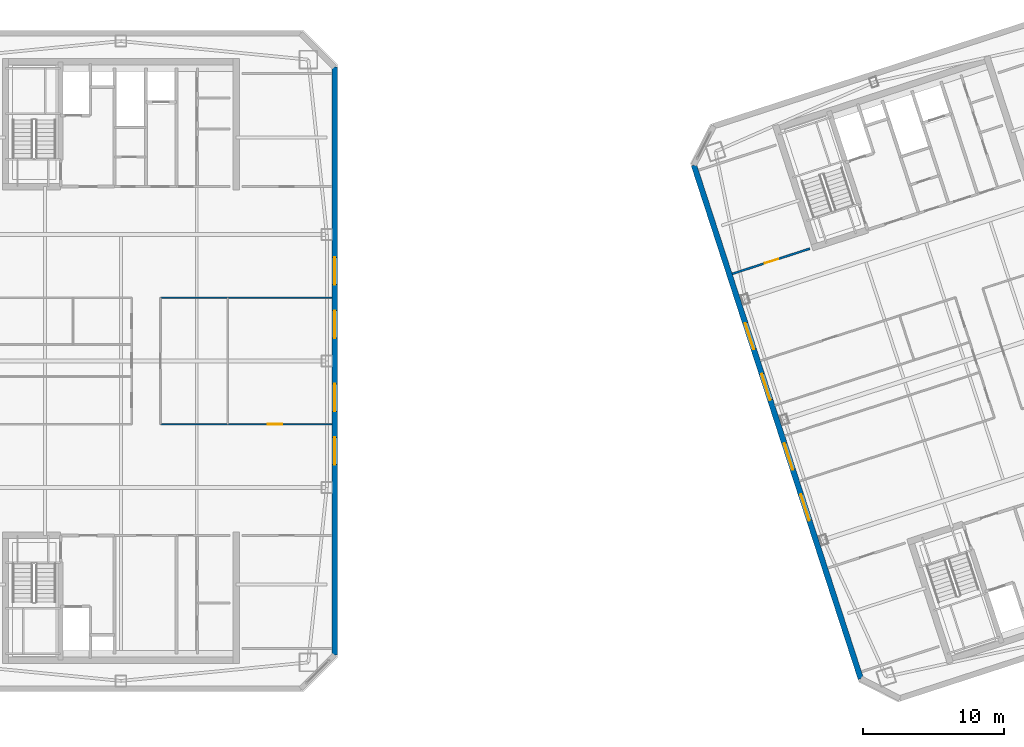
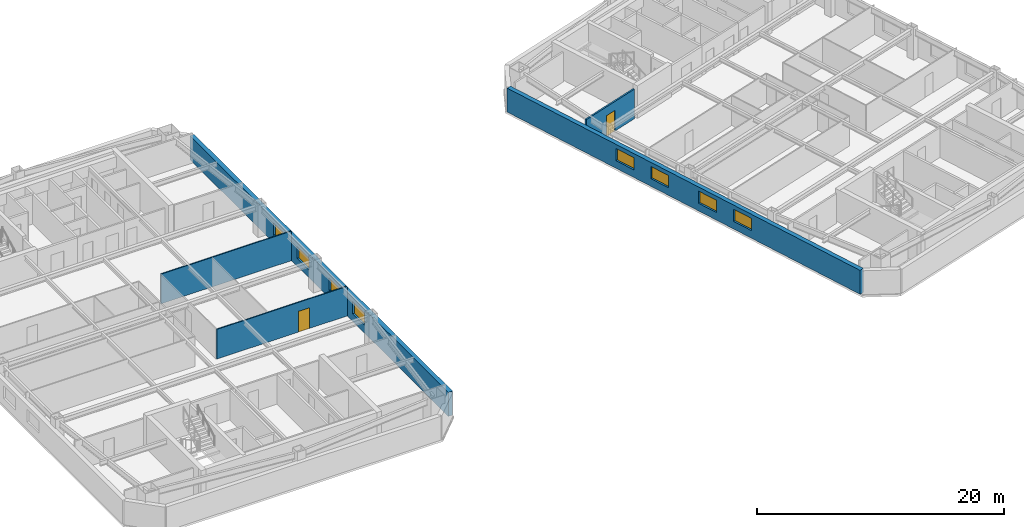
# One storey, part 13 of 20: 8 windows, 5 walls, 2 doors, 10 openings.
"""IFC4 building model written with IfcOpenShell, lengths in metres."""

from ifc_helpers import new_model, si_unit, direction, frame, frame_2d, origin, place, context, subcontext, project, spatial, rectangle, extrude, material, layer, layer_set, type_object, element, fill, save


model = new_model("IFC4")

# Units and contexts
model_context = context("Model", 3, precision=1e-05, world=origin(), true_north=direction((0.0, 1.0)))
body_context = subcontext(model_context, "Body", "Model", "MODEL_VIEW")
ifc_project = project(units=[si_unit("LENGTHUNIT", "METRE"), si_unit("AREAUNIT", "SQUARE_METRE"), si_unit("VOLUMEUNIT", "CUBIC_METRE"), si_unit("PLANEANGLEUNIT", "RADIAN"), si_unit("MASSUNIT", "GRAM", prefix="KILO")], contexts=[model_context])

# Site, building, storey
site_placement = place(None, origin())
site = spatial("IfcSite", under=ifc_project, at=site_placement, CompositionType="ELEMENT")
building_placement = place(site_placement, origin())
building = spatial("IfcBuilding", under=site, at=building_placement, Name="Qiaolan Cultural Towers", CompositionType="ELEMENT")
storey_placement = place(building_placement, frame((0.0, 0.0, 244.0)))
storey = spatial("IfcBuildingStorey", under=building, at=storey_placement, Name="L66", CompositionType="ELEMENT", Elevation=244.0)

# Wall, openings, windows
ifc_material_1 = material(Name="Precast Concrete C50 Honed Stone Pier", Category="masonry")
ifc_layer_1 = layer(ifc_material_1, 0.39990234375)
ifc_layer_set_1 = layer_set([ifc_layer_1], Name="Precast Concrete C50 Honed Stone Pier")
wall_type_1 = type_object("IfcWallType", Name="WL-EXT-PIER-400", PredefinedType="SOLIDWALL", material=ifc_layer_set_1)
wall_1_placement = place(storey_placement, frame((45.199951171875, 54.89990234375, 0.0), z_axis=(0.0, 0.0, 1.0), x_axis=(0.0, -1.0, 0.0)))
wall_1 = element("IfcWall", 1, at=wall_1_placement, inside=storey, type_object=wall_type_1, Name="L66 West Tower Precast Pier Facade Wall F5", PredefinedType="SOLIDWALL", context=body_context, shape_type="SweptSolid", body=[
    extrude(rectangle(XDim=41.7998046875, YDim=0.39990234375, at=frame_2d((20.89990234375, 0.0))), origin(), (0.0, 0.0, 1.0), 2.360107421875),
])
opening_1_placement = place(wall_1_placement, frame((26.324951171875, 0.0, 0.75)))
opening_1 = element("IfcOpeningElement", 2, at=opening_1_placement, cuts=wall_1, Name="Opening W-06", PredefinedType="OPENING", context=body_context, shape_type="SweptSolid", body=[
    extrude(rectangle(XDim=1.949951171875, YDim=1.2099609375, at=frame_2d((0.97509765625, 0.60498046875))), frame((0.0, 0.2099609375, 0.0), z_axis=(0.0, -1.0, 0.0), x_axis=(1.0, 0.0, 0.0)), (0.0, 0.0, 1.0), 0.419921875),
])
opening_2_placement = place(wall_1_placement, frame((22.52490234375, 0.0, 0.75)))
opening_2 = element("IfcOpeningElement", 3, at=opening_2_placement, cuts=wall_1, Name="Opening W-06", PredefinedType="OPENING", context=body_context, shape_type="SweptSolid", body=[
    extrude(rectangle(XDim=1.949951171875, YDim=1.2099609375, at=frame_2d((0.97509765625, 0.60498046875))), frame((0.0, 0.2099609375, 0.0), z_axis=(0.0, -1.0, 0.0), x_axis=(1.0, 0.0, 0.0)), (0.0, 0.0, 1.0), 0.419921875),
])
opening_3_placement = place(wall_1_placement, frame((17.324951171875, 0.0, 0.75)))
opening_3 = element("IfcOpeningElement", 4, at=opening_3_placement, cuts=wall_1, Name="Opening W-06", PredefinedType="OPENING", context=body_context, shape_type="SweptSolid", body=[
    extrude(rectangle(XDim=1.949951171875, YDim=1.2099609375, at=frame_2d((0.97509765625, 0.60498046875))), frame((0.0, 0.2099609375, 0.0), z_axis=(0.0, -1.0, 0.0), x_axis=(1.0, 0.0, 0.0)), (0.0, 0.0, 1.0), 0.419921875),
])
opening_4_placement = place(wall_1_placement, frame((13.52490234375, 0.0, 0.75)))
opening_4 = element("IfcOpeningElement", 5, at=opening_4_placement, cuts=wall_1, Name="Opening W-06", PredefinedType="OPENING", context=body_context, shape_type="SweptSolid", body=[
    extrude(rectangle(XDim=1.949951171875, YDim=1.2099609375, at=frame_2d((0.97509765625, 0.60498046875))), frame((0.0, 0.2099609375, 0.0), z_axis=(0.0, -1.0, 0.0), x_axis=(1.0, 0.0, 0.0)), (0.0, 0.0, 1.0), 0.419921875),
])
ifc_material_2 = material(Name="Thermally Broken Aluminium Triple Low-E Glazing", Category="aluminium")
window_type = type_object("IfcWindowType", Name="WN-CHIC-1950", PartitioningType="SINGLE_PANEL", PredefinedType="WINDOW", material=ifc_material_2)
window_1_placement = place(opening_1_placement, origin())
window_1 = element("IfcWindow", 6, at=window_1_placement, inside=storey, type_object=window_type, Name="L66 T1 E Chicago Bay Window 1", OverallHeight=1.2099609375, OverallWidth=1.949951171875, PartitioningType="TRIPLE_PANEL_VERTICAL", PredefinedType="WINDOW", context=body_context, shape_type="SweptSolid", body=[
    extrude(rectangle(XDim=1.949951171875, YDim=1.2099609375, at=frame_2d((0.97509765625, 0.60498046875))), frame((0.0, 0.030029296875, 0.0), z_axis=(0.0, -1.0, 0.0), x_axis=(1.0, 0.0, 0.0)), (0.0, 0.0, 1.0), 0.06005859375),
])
fill(opening_1, window_1)
window_2_placement = place(opening_2_placement, origin())
window_2 = element("IfcWindow", 7, at=window_2_placement, inside=storey, type_object=window_type, Name="L66 T1 E Chicago Bay Window 2", OverallHeight=1.2099609375, OverallWidth=1.949951171875, PartitioningType="TRIPLE_PANEL_VERTICAL", PredefinedType="WINDOW", context=body_context, shape_type="SweptSolid", body=[
    extrude(rectangle(XDim=1.949951171875, YDim=1.2099609375, at=frame_2d((0.97509765625, 0.60498046875))), frame((0.0, 0.030029296875, 0.0), z_axis=(0.0, -1.0, 0.0), x_axis=(1.0, 0.0, 0.0)), (0.0, 0.0, 1.0), 0.06005859375),
])
fill(opening_2, window_2)
window_3_placement = place(opening_3_placement, origin())
window_3 = element("IfcWindow", 8, at=window_3_placement, inside=storey, type_object=window_type, Name="L66 T1 E Chicago Bay Window 3", OverallHeight=1.2099609375, OverallWidth=1.949951171875, PartitioningType="TRIPLE_PANEL_VERTICAL", PredefinedType="WINDOW", context=body_context, shape_type="SweptSolid", body=[
    extrude(rectangle(XDim=1.949951171875, YDim=1.2099609375, at=frame_2d((0.97509765625, 0.60498046875))), frame((0.0, 0.030029296875, 0.0), z_axis=(0.0, -1.0, 0.0), x_axis=(1.0, 0.0, 0.0)), (0.0, 0.0, 1.0), 0.06005859375),
])
fill(opening_3, window_3)
window_4_placement = place(opening_4_placement, origin())
window_4 = element("IfcWindow", 9, at=window_4_placement, inside=storey, type_object=window_type, Name="L66 T1 E Chicago Bay Window 4", OverallHeight=1.2099609375, OverallWidth=1.949951171875, PartitioningType="TRIPLE_PANEL_VERTICAL", PredefinedType="WINDOW", context=body_context, shape_type="SweptSolid", body=[
    extrude(rectangle(XDim=1.949951171875, YDim=1.2099609375, at=frame_2d((0.97509765625, 0.60498046875))), frame((0.0, 0.030029296875, 0.0), z_axis=(0.0, -1.0, 0.0), x_axis=(1.0, 0.0, 0.0)), (0.0, 0.0, 1.0), 0.06005859375),
])
fill(opening_4, window_4)

wall_2_placement = place(storey_placement, frame((82.618408203125, 11.41357421875, 0.0), z_axis=(0.0, 0.0, 1.0), x_axis=(-0.309016491071, 0.951056679828, 0.0)))
wall_2 = element("IfcWall", 10, at=wall_2_placement, inside=storey, type_object=wall_type_1, Name="L66 East Tower Precast Pier Facade Wall F1", PredefinedType="SOLIDWALL", context=body_context, shape_type="SweptSolid", body=[
    extrude(rectangle(XDim=38.39990234375, YDim=0.39990234375, at=frame_2d((19.199951171875, 0.0))), origin(), (0.0, 0.0, 1.0), 2.360107421875),
])
opening_5_placement = place(wall_2_placement, frame((11.824951171875, 0.0, 0.75)))
opening_5 = element("IfcOpeningElement", 11, at=opening_5_placement, cuts=wall_2, Name="Opening W-06", PredefinedType="OPENING", context=body_context, shape_type="SweptSolid", body=[
    extrude(rectangle(XDim=1.949951171875, YDim=1.2099609375, at=frame_2d((0.97509765625, 0.60498046875))), frame((0.0, 0.2099609375, 0.0), z_axis=(0.0, -1.0, 0.0), x_axis=(1.0, 0.0, 0.0)), (0.0, 0.0, 1.0), 0.419921875),
])
opening_6_placement = place(wall_2_placement, frame((15.625, 0.0, 0.75)))
opening_6 = element("IfcOpeningElement", 12, at=opening_6_placement, cuts=wall_2, Name="Opening W-06", PredefinedType="OPENING", context=body_context, shape_type="SweptSolid", body=[
    extrude(rectangle(XDim=1.949951171875, YDim=1.2099609375, at=frame_2d((0.97509765625, 0.60498046875))), frame((0.0, 0.2099609375, 0.0), z_axis=(0.0, -1.0, 0.0), x_axis=(1.0, 0.0, 0.0)), (0.0, 0.0, 1.0), 0.419921875),
])
opening_7_placement = place(wall_2_placement, frame((20.824951171875, 0.0, 0.75)))
opening_7 = element("IfcOpeningElement", 13, at=opening_7_placement, cuts=wall_2, Name="Opening W-06", PredefinedType="OPENING", context=body_context, shape_type="SweptSolid", body=[
    extrude(rectangle(XDim=1.949951171875, YDim=1.2099609375, at=frame_2d((0.97509765625, 0.60498046875))), frame((0.0, 0.2099609375, 0.0), z_axis=(0.0, -1.0, 0.0), x_axis=(1.0, 0.0, 0.0)), (0.0, 0.0, 1.0), 0.419921875),
])
opening_8_placement = place(wall_2_placement, frame((24.625, 0.0, 0.75)))
opening_8 = element("IfcOpeningElement", 14, at=opening_8_placement, cuts=wall_2, Name="Opening W-06", PredefinedType="OPENING", context=body_context, shape_type="SweptSolid", body=[
    extrude(rectangle(XDim=1.949951171875, YDim=1.2099609375, at=frame_2d((0.97509765625, 0.60498046875))), frame((0.0, 0.2099609375, 0.0), z_axis=(0.0, -1.0, 0.0), x_axis=(1.0, 0.0, 0.0)), (0.0, 0.0, 1.0), 0.419921875),
])
window_5_placement = place(opening_5_placement, origin())
window_5 = element("IfcWindow", 15, at=window_5_placement, inside=storey, type_object=window_type, Name="L66 T2 W Chicago Bay Window 1", OverallHeight=1.2099609375, OverallWidth=1.949951171875, PartitioningType="TRIPLE_PANEL_VERTICAL", PredefinedType="WINDOW", context=body_context, shape_type="SweptSolid", body=[
    extrude(rectangle(XDim=1.949951171875, YDim=1.2099609375, at=frame_2d((0.97509765625, 0.60498046875))), frame((0.0, 0.030029296875, 0.0), z_axis=(0.0, -1.0, 0.0), x_axis=(1.0, 0.0, 0.0)), (0.0, 0.0, 1.0), 0.06005859375),
])
fill(opening_5, window_5)
window_6_placement = place(opening_6_placement, origin())
window_6 = element("IfcWindow", 16, at=window_6_placement, inside=storey, type_object=window_type, Name="L66 T2 W Chicago Bay Window 2", OverallHeight=1.2099609375, OverallWidth=1.949951171875, PartitioningType="TRIPLE_PANEL_VERTICAL", PredefinedType="WINDOW", context=body_context, shape_type="SweptSolid", body=[
    extrude(rectangle(XDim=1.949951171875, YDim=1.2099609375, at=frame_2d((0.97509765625, 0.60498046875))), frame((0.0, 0.030029296875, 0.0), z_axis=(0.0, -1.0, 0.0), x_axis=(1.0, 0.0, 0.0)), (0.0, 0.0, 1.0), 0.06005859375),
])
fill(opening_6, window_6)
window_7_placement = place(opening_7_placement, origin())
window_7 = element("IfcWindow", 17, at=window_7_placement, inside=storey, type_object=window_type, Name="L66 T2 W Chicago Bay Window 3", OverallHeight=1.2099609375, OverallWidth=1.949951171875, PartitioningType="TRIPLE_PANEL_VERTICAL", PredefinedType="WINDOW", context=body_context, shape_type="SweptSolid", body=[
    extrude(rectangle(XDim=1.949951171875, YDim=1.2099609375, at=frame_2d((0.97509765625, 0.60498046875))), frame((0.0, 0.030029296875, 0.0), z_axis=(0.0, -1.0, 0.0), x_axis=(1.0, 0.0, 0.0)), (0.0, 0.0, 1.0), 0.06005859375),
])
fill(opening_7, window_7)
window_8_placement = place(opening_8_placement, origin())
window_8 = element("IfcWindow", 18, at=window_8_placement, inside=storey, type_object=window_type, Name="L66 T2 W Chicago Bay Window 4", OverallHeight=1.2099609375, OverallWidth=1.949951171875, PartitioningType="TRIPLE_PANEL_VERTICAL", PredefinedType="WINDOW", context=body_context, shape_type="SweptSolid", body=[
    extrude(rectangle(XDim=1.949951171875, YDim=1.2099609375, at=frame_2d((0.97509765625, 0.60498046875))), frame((0.0, 0.030029296875, 0.0), z_axis=(0.0, -1.0, 0.0), x_axis=(1.0, 0.0, 0.0)), (0.0, 0.0, 1.0), 0.06005859375),
])
fill(opening_8, window_8)

# Wall, opening, door
ifc_material_3 = material(Name="Acoustic Double-Glazed Partition Frame", Category="glass")
ifc_layer_2 = layer(ifc_material_3, 0.10009765625)
ifc_layer_set_2 = layer_set([ifc_layer_2], Name="Acoustic Double-Glazed Partition Frame")
wall_type_2 = type_object("IfcWallType", Name="WL-GLAZED-100", PredefinedType="MOVABLE", material=ifc_layer_set_2)
wall_3_placement = place(storey_placement, frame((32.824951171875, 29.5, 0.0), z_axis=(0.0, 0.0, 1.0), x_axis=(1.0, 0.0, 0.0)))
wall_3 = element("IfcWall", 19, at=wall_3_placement, inside=storey, type_object=wall_type_2, Name="L66 T1 South Foyer East Wall", PredefinedType="MOVABLE", context=body_context, shape_type="SweptSolid", body=[
    extrude(rectangle(XDim=12.175048828125, YDim=0.10009765625, at=frame_2d((6.08740234375, 0.0))), origin(), (0.0, 0.0, 1.0), 2.925048828125),
])
opening_9_placement = place(wall_3_placement, frame((7.60498046875, 0.0, 0.0)))
opening_9 = element("IfcOpeningElement", 20, at=opening_9_placement, cuts=wall_3, Name="Opening ID-07", PredefinedType="OPENING", context=body_context, shape_type="SweptSolid", body=[
    extrude(rectangle(XDim=1.050048828125, YDim=2.050048828125, at=frame_2d((0.52490234375, 1.02490234375))), frame((0.0, 0.06005859375, 0.0), z_axis=(0.0, -1.0, 0.0), x_axis=(1.0, 0.0, 0.0)), (0.0, 0.0, 1.0), 0.1201171875),
])
ifc_material_4 = material(Name="Oak Veneer Consultation Door", Category="timber")
door_type_1 = type_object("IfcDoorType", Name="DR-INT-1050", OperationType="NOTDEFINED", PredefinedType="DOOR", material=ifc_material_4)
door_1_placement = place(opening_9_placement, origin())
door_1 = element("IfcDoor", 21, at=door_1_placement, inside=storey, type_object=door_type_1, Name="L66 T1 Sky Club Lounge Door", OperationType="SINGLE_SWING_RIGHT", OverallHeight=2.050048828125, OverallWidth=1.050048828125, PredefinedType="DOOR", context=body_context, shape_type="SweptSolid", body=[
    extrude(rectangle(XDim=1.050048828125, YDim=2.050048828125, at=frame_2d((0.52490234375, 1.02490234375))), frame((0.0, 0.02490234375, 0.0), z_axis=(0.0, -1.0, 0.0), x_axis=(1.0, 0.0, 0.0)), (0.0, 0.0, 1.0), 0.050048828125),
])
fill(opening_9, door_1)

# Wall
wall_4_placement = place(storey_placement, frame((32.824951171875, 38.5, 0.0), z_axis=(0.0, 0.0, 1.0), x_axis=(1.0, 0.0, 0.0)))
element("IfcWall", 22, at=wall_4_placement, inside=storey, type_object=wall_type_2, Name="L66 T1 North Foyer East Wall", PredefinedType="MOVABLE", context=body_context, shape_type="SweptSolid", body=[
    extrude(rectangle(XDim=12.175048828125, YDim=0.10009765625, at=frame_2d((6.08740234375, 0.0))), origin(), (0.0, 0.0, 1.0), 2.925048828125),
])

# Wall, opening, door
ifc_material_5 = material(Name="Autoclaved Aerated Concrete Block B06", Category="concrete")
ifc_layer_3 = layer(ifc_material_5, 0.14990234375)
ifc_layer_set_3 = layer_set([ifc_layer_3], Name="Autoclaved Aerated Concrete Block B06")
wall_type_3 = type_object("IfcWallType", Name="WL-PART-150", PredefinedType="PARTITIONING", material=ifc_layer_set_3)
wall_5_placement = place(storey_placement, frame((73.476318359375, 40.197265625, 0.0), z_axis=(0.0, 0.0, 1.0), x_axis=(0.951059431056, 0.309008023519, 0.0)))
wall_5 = element("IfcWall", 23, at=wall_5_placement, inside=storey, type_object=wall_type_3, Name="L66 T2 Flank Front FLK-NW", PredefinedType="PARTITIONING", context=body_context, shape_type="SweptSolid", body=[
    extrude(rectangle(XDim=5.800048828125, YDim=0.14990234375, at=frame_2d((2.89990234375, 0.0))), origin(), (0.0, 0.0, 1.0), 2.925048828125),
])
opening_10_placement = place(wall_5_placement, frame((2.43603515625, 0.0, 0.0)))
opening_10 = element("IfcOpeningElement", 24, at=opening_10_placement, cuts=wall_5, Name="Opening ID-04", PredefinedType="OPENING", context=body_context, shape_type="SweptSolid", body=[
    extrude(rectangle(XDim=1.0, YDim=2.050048828125, at=frame_2d((0.5, 1.02490234375))), frame((0.0, 0.0849609375, 0.0), z_axis=(0.0, -1.0, 0.0), x_axis=(1.0, 0.0, 0.0)), (0.0, 0.0, 1.0), 0.169921875),
])
ifc_material_6 = material(Name="Oak Veneer Acoustic Office Door", Category="timber")
door_type_2 = type_object("IfcDoorType", Name="DR-INT-1000", OperationType="NOTDEFINED", PredefinedType="DOOR", material=ifc_material_6)
door_2_placement = place(opening_10_placement, origin())
door_2 = element("IfcDoor", 25, at=door_2_placement, inside=storey, type_object=door_type_2, Name="L66 T2 Corner Studio Door", OperationType="SINGLE_SWING_LEFT", OverallHeight=2.050048828125, OverallWidth=1.0, PredefinedType="DOOR", context=body_context, shape_type="SweptSolid", body=[
    extrude(rectangle(XDim=1.0, YDim=2.050048828125, at=frame_2d((0.5, 1.02490234375))), frame((0.0, 0.02490234375, 0.0), z_axis=(0.0, -1.0, 0.0), x_axis=(1.0, 0.0, 0.0)), (0.0, 0.0, 1.0), 0.050048828125),
])
fill(opening_10, door_2)

save(model, "model.ifc")
